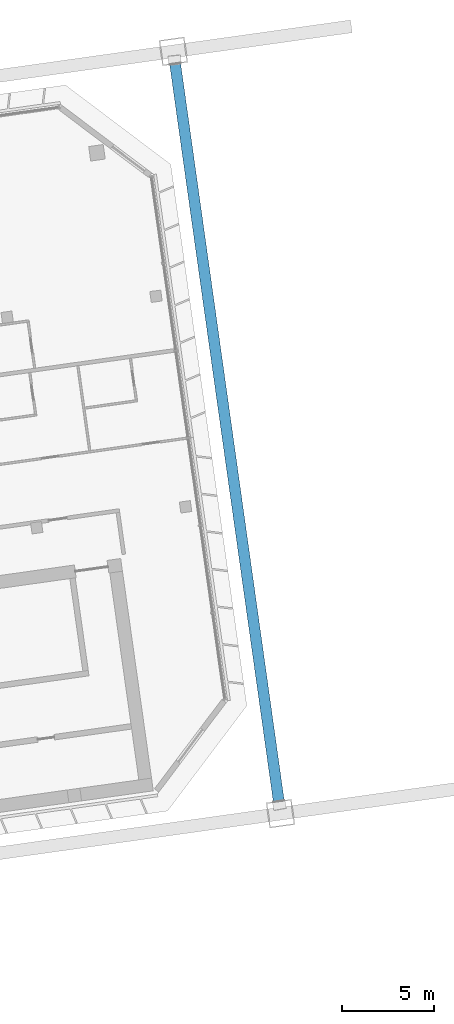
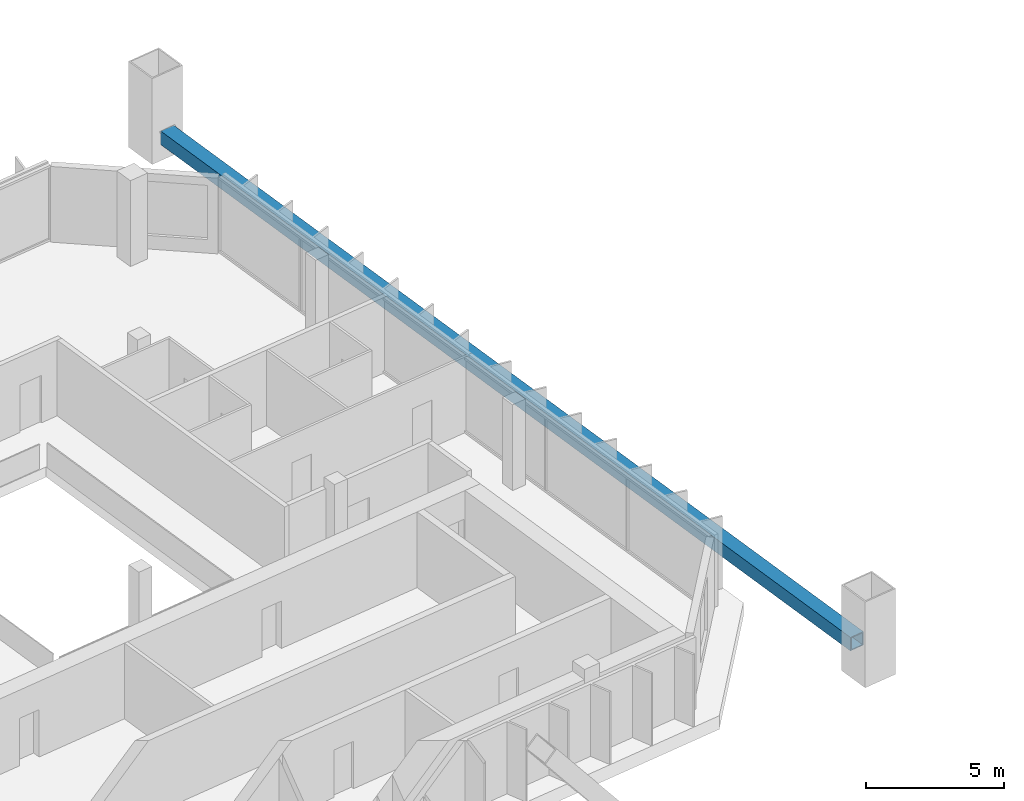
# One storey, part 17 of 38: 1 member.
"""IFC4 building model written with IfcOpenShell, lengths in metres."""

import ifcopenshell
import ifcopenshell.guid

model = None  # the IFC model being written
_history = None  # IfcOwnerHistory: only IFC2X3 demands one
_inside = {}  # id of a spatial element -> (the spatial element, [elements in it])
_under = {}  # id of a project, library or spatial element -> (it, [spatial elements below it])
_declared = {}  # id of a project -> (the project, [libraries it declares])
_typed = {}  # id of a type object -> (the type object, [elements of that type])
_made_of = {}  # id of a material, layer set ... -> (it, [elements and type objects made of it])


def new_model(schema):
    """Start an empty IFC model of exactly this schema.

    Asked for "IFC4X3", IfcOpenShell would pick the latest addendum, in which some entities
    have other attributes; the version numbers below select the first issue.
    IFC2X3 requires an IfcOwnerHistory on every rooted entity: one is made here for all.
    """
    global model, _history
    if schema == "IFC4X3":
        model = ifcopenshell.file(schema_version=(4, 3, 0, 0))
    else:
        model = ifcopenshell.file(schema=schema)
    _inside.clear()
    _under.clear()
    _declared.clear()
    _typed.clear()
    _made_of.clear()
    _history = None
    if model.schema == "IFC2X3":
        org = make("IfcOrganization", Name="unknown")
        user = make(
            "IfcPersonAndOrganization",
            ThePerson=make("IfcPerson", FamilyName="unknown"),
            TheOrganization=org,
        )
        app = make(
            "IfcApplication",
            ApplicationDeveloper=org,
            Version="unknown",
            ApplicationFullName="unknown",
            ApplicationIdentifier="unknown",
        )
        _history = make(
            "IfcOwnerHistory",
            OwningUser=user,
            OwningApplication=app,
            ChangeAction="ADDED",
            CreationDate=0,
        )
    return model


def make(cls, **values):
    """One entity of the class cls with the attributes given. An attribute that is None is left unset."""
    return model.create_entity(
        cls, **{name: value for name, value in values.items() if value is not None}
    )


def rooted(cls, **values):
    """An entity with a GlobalId (a new one), such as an element, a storey or a relation."""
    return make(cls, GlobalId=ifcopenshell.guid.new(), OwnerHistory=_history, **values)


def si_unit(unit_type, name, prefix=None):
    """IfcSIUnit, for example si_unit("LENGTHUNIT", "METRE", prefix="MILLI")."""
    return make("IfcSIUnit", UnitType=unit_type, Prefix=prefix, Name=name)


def assignment(units):
    """IfcUnitAssignment: the units of a project."""
    return None if units is None else make("IfcUnitAssignment", Units=units)


def point(xyz):
    """IfcCartesianPoint."""
    return None if xyz is None else make("IfcCartesianPoint", Coordinates=xyz)


def direction(xyz):
    """IfcDirection."""
    return None if xyz is None else make("IfcDirection", DirectionRatios=xyz)


def frame(location, z_axis=None, x_axis=None):
    """IfcAxis2Placement3D, a coordinate frame: its origin and axes. An axis left out is left unset."""
    return make(
        "IfcAxis2Placement3D",
        Location=point(location),
        Axis=direction(z_axis),
        RefDirection=direction(x_axis),
    )


def frame_2d(location, x_axis=None):
    """IfcAxis2Placement2D, a coordinate frame in the plane: its origin and x axis."""
    return make(
        "IfcAxis2Placement2D", Location=point(location), RefDirection=direction(x_axis)
    )


def origin():
    """The frame at (0, 0, 0) with its axes left unset."""
    return frame((0.0, 0.0, 0.0))


def origin_2d():
    """The frame at (0, 0) in the plane with its x axis left unset."""
    return frame_2d((0.0, 0.0))


def place(relative_to, where):
    """IfcLocalPlacement: puts the frame where relative to a parent placement (None: the world)."""
    return make(
        "IfcLocalPlacement", PlacementRelTo=relative_to, RelativePlacement=where
    )


def context(
    kind, dimensions, precision=None, world=None, true_north=None, identifier=None
):
    """IfcGeometricRepresentationContext, for example the 3D "Model" context."""
    return make(
        "IfcGeometricRepresentationContext",
        ContextIdentifier=identifier,
        ContextType=kind,
        CoordinateSpaceDimension=dimensions,
        Precision=precision,
        WorldCoordinateSystem=world,
        TrueNorth=true_north,
    )


def subcontext(parent, identifier, kind, view, scale=None):
    """IfcGeometricRepresentationSubContext, for example "Body" below "Model"."""
    return make(
        "IfcGeometricRepresentationSubContext",
        ContextIdentifier=identifier,
        ContextType=kind,
        ParentContext=parent,
        TargetScale=scale,
        TargetView=view,
    )


def project(units=None, contexts=None):
    """IfcProject with its units and contexts."""
    return rooted(
        "IfcProject",
        Name="project",
        RepresentationContexts=contexts,
        UnitsInContext=assignment(units),
    )


def spatial(cls, under=None, at=None, **own):
    """A site, building, storey or space (cls), placed at a placement, below another one or the project."""
    s = rooted(cls, ObjectPlacement=at, **own)
    if under is not None:
        _under.setdefault(under.id(), (under, []))[1].append(s)
    return s


def profile(cls, at=None, kind="AREA", **sizes):
    """A parametric profile (cls). Its sizes go by their IFC names, for example OverallWidth=200.0."""
    return make(cls, ProfileType=kind, Position=at, **sizes)


def hollow_rectangle(**sizes):
    """IfcRectangleHollowProfileDef."""
    return profile("IfcRectangleHollowProfileDef", **sizes)


def extrude(swept, where, along, depth):
    """IfcExtrudedAreaSolid: the profile swept, set in the frame where, extruded along a direction by depth."""
    return make(
        "IfcExtrudedAreaSolid",
        SweptArea=swept,
        Position=where,
        ExtrudedDirection=direction(along),
        Depth=depth,
    )


def shape(context_of_items, identifier, shape_type, items):
    """IfcShapeRepresentation: the items that make up one representation, for example the "Body"."""
    return make(
        "IfcShapeRepresentation",
        ContextOfItems=context_of_items,
        RepresentationIdentifier=identifier,
        RepresentationType=shape_type,
        Items=items,
    )


def material(Name=None, Category=None):
    """IfcMaterial."""
    return make("IfcMaterial", Name=Name, Category=Category)


def material_profile(
    of_material, cross_section, Name=None, Category=None, Priority=None
):
    """IfcMaterialProfile: a cross section and its material."""
    return make(
        "IfcMaterialProfile",
        Name=Name,
        Material=of_material,
        Profile=cross_section,
        Priority=Priority,
        Category=Category,
    )


def profile_set(profiles, Name=None, composite=None):
    """IfcMaterialProfileSet."""
    return make(
        "IfcMaterialProfileSet",
        Name=Name,
        MaterialProfiles=profiles,
        CompositeProfile=composite,
    )


def made_of(thing, what):
    """Note that an element or type object is made of a material, layer set ...; save() writes the relation."""
    if what is not None:
        _made_of.setdefault(what.id(), (what, []))[1].append(thing)
    return thing


def type_object(cls, material=None, **own):
    """A type object (cls), such as IfcWallType, which elements share."""
    return made_of(rooted(cls, **own), material)


def element(
    cls,
    number,
    at=None,
    inside=None,
    cuts=None,
    type_object=None,
    material=None,
    context=None,
    identifier="Body",
    shape_type=None,
    held_by="IfcProductDefinitionShape",
    body=None,
    shapes=None,
    **own,
):
    """One element of the class cls, such as IfcWall. Its Tag is "e" and its number.

    at: its placement. inside: the storey or other place that contains it. cuts: it is an
    opening in that element (IfcRelVoidsElement). A single representation is given by context,
    identifier, shape_type and body (its items); several are given by shapes. held_by: the class
    of the entity that holds the representations. save() writes the other relations.
    """
    e = rooted(cls, Tag="e%d" % number, ObjectPlacement=at, **own)
    if body is not None:
        shapes = [shape(context, identifier, shape_type, body)]
    if shapes is not None:
        e.Representation = make(held_by, Representations=shapes)
    if inside is not None:
        _inside.setdefault(inside.id(), (inside, []))[1].append(e)
    if cuts is not None:
        rooted(
            "IfcRelVoidsElement", RelatingBuildingElement=cuts, RelatedOpeningElement=e
        )
    if type_object is not None:
        _typed.setdefault(type_object.id(), (type_object, []))[1].append(e)
    return made_of(e, material)


def aggregate(whole, parts):
    """IfcRelAggregates: a whole, such as a stair, and the parts it consists of."""
    return rooted("IfcRelAggregates", RelatingObject=whole, RelatedObjects=parts)


def save(model, path):
    """Write the relations noted so far, then the file.

    IfcRelAggregates (storeys below a building ...), IfcRelContainedInSpatialStructure (elements
    in a storey), IfcRelDefinesByType, IfcRelAssociatesMaterial and IfcRelDeclares: one each for
    every whole, place, type object, material and project.
    """
    for whole, parts in _under.values():
        aggregate(whole, parts)
    for where, things in _inside.values():
        rooted(
            "IfcRelContainedInSpatialStructure",
            RelatedElements=things,
            RelatingStructure=where,
        )
    for kind, things in _typed.values():
        rooted("IfcRelDefinesByType", RelatedObjects=things, RelatingType=kind)
    for what, things in _made_of.values():
        rooted("IfcRelAssociatesMaterial", RelatedObjects=things, RelatingMaterial=what)
    for by, libraries in _declared.values():
        rooted("IfcRelDeclares", RelatingContext=by, RelatedDefinitions=libraries)
    model.write(path)


model = new_model("IFC4")

# Units and contexts
model_context = context("Model", 3, precision=1e-05, world=origin(), true_north=direction((0.0, 1.0)))
body_context = subcontext(model_context, "Body", "Model", "MODEL_VIEW")
ifc_project = project(units=[si_unit("LENGTHUNIT", "METRE"), si_unit("AREAUNIT", "SQUARE_METRE"), si_unit("VOLUMEUNIT", "CUBIC_METRE"), si_unit("PLANEANGLEUNIT", "RADIAN"), si_unit("MASSUNIT", "GRAM", prefix="KILO")], contexts=[model_context])

# Site, building, storey
site_placement = place(None, origin())
site = spatial("IfcSite", under=ifc_project, at=site_placement, CompositionType="ELEMENT")
building_placement = place(site_placement, origin())
building = spatial("IfcBuilding", under=site, at=building_placement, Name="Mirante Cascada Hotel Towers", CompositionType="ELEMENT")
storey_placement = place(building_placement, frame((0.0, 0.0, 184.0)))
storey = spatial("IfcBuildingStorey", under=building, at=storey_placement, Name="L43", CompositionType="ELEMENT", Elevation=184.0)

# Member
ifc_material = material(Name="Steel ASTM A572 Gr 50", Category="steel")
ifc_material_profile = material_profile(ifc_material, hollow_rectangle(XDim=0.6, YDim=0.6, WallThickness=0.04, at=origin_2d()), Name="Box chord 600x600x40 ASTM A572 Gr 50")
ifc_profile_set = profile_set([ifc_material_profile], Name="Steel ASTM A572 Gr 50")
member_type = type_object("IfcMemberType", Name="Box chord 600x600x40 ASTM A572 Gr 50", PredefinedType="CHORD", material=ifc_profile_set)
member_placement = place(storey_placement, frame((88.283, -14.3286, 1.0), z_axis=(-0.1391732, 0.9902681, 0.0), x_axis=(-0.9902681, -0.1391732, 0.0)))
element("IfcMember", 1, at=member_placement, inside=storey, type_object=member_type, Name="exochord T2 L43 1", PredefinedType="CHORD", context=body_context, shape_type="SweptSolid", body=[
    extrude(hollow_rectangle(XDim=0.6, YDim=0.6, WallThickness=0.04, at=origin_2d()), origin(), (0.0, 0.0, 1.0), 40.64),
])

save(model, "model.ifc")
